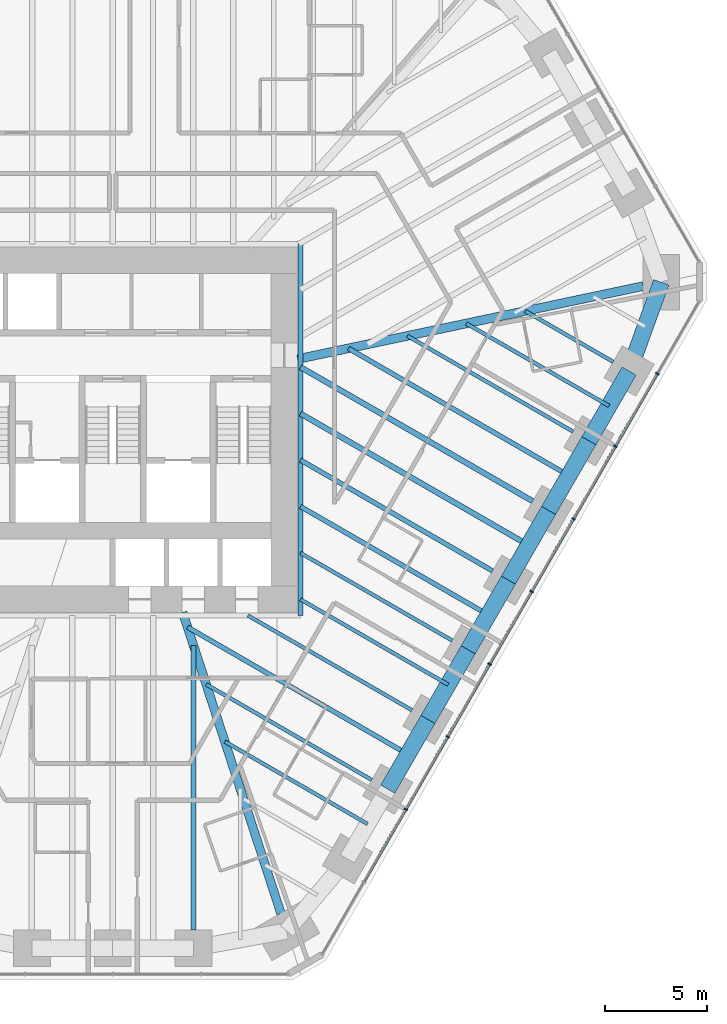
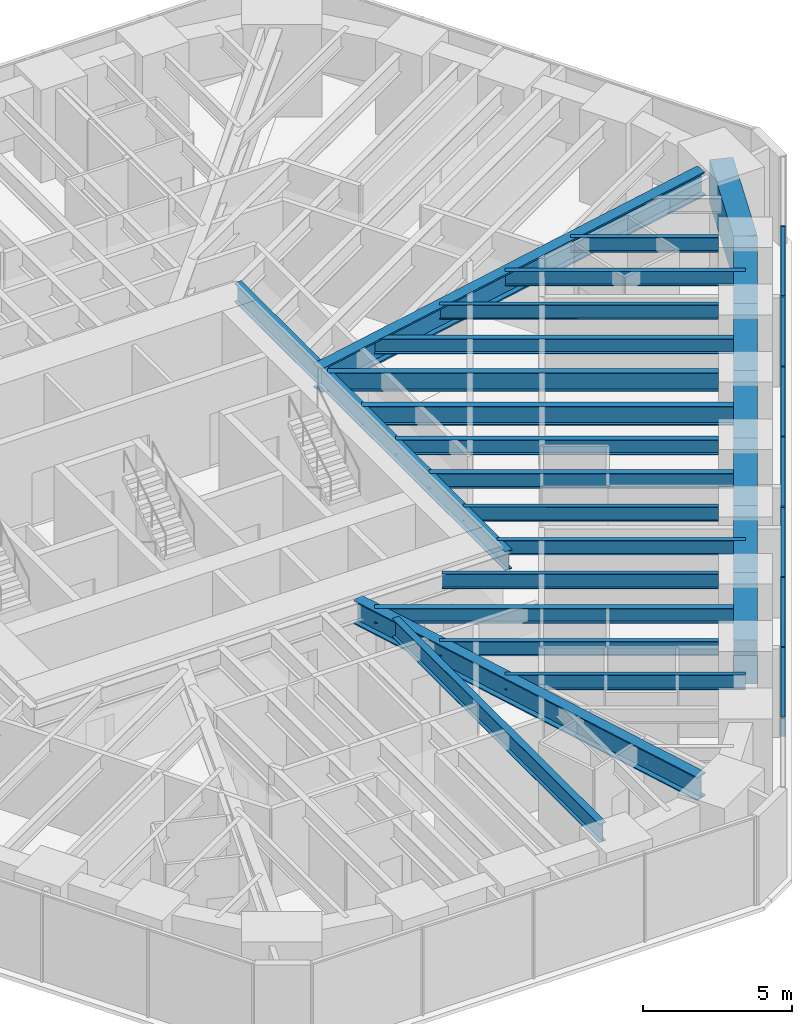
# One storey, part 5 of 16: 25 beams, 14 members, 1 element without a shape of its own.
"""IFC4 building model written with IfcOpenShell, lengths in metres."""

from ifc_helpers import new_model, si_unit, direction, frame, origin, origin_2d, place, context, subcontext, project, spatial, rectangle, i_section, extrude, material, material_profile, profile_set, type_object, element, aggregate, save


model = new_model("IFC4")

# Units and contexts
model_context = context("Model", 3, precision=1e-05, world=origin(), true_north=direction((0.0, 1.0)))
body_context = subcontext(model_context, "Body", "Model", "MODEL_VIEW")
ifc_project = project(units=[si_unit("LENGTHUNIT", "METRE"), si_unit("AREAUNIT", "SQUARE_METRE"), si_unit("VOLUMEUNIT", "CUBIC_METRE"), si_unit("PLANEANGLEUNIT", "RADIAN"), si_unit("MASSUNIT", "GRAM", prefix="KILO")], contexts=[model_context])

# Site, building, storey
site_placement = place(None, origin())
site = spatial("IfcSite", under=ifc_project, at=site_placement, CompositionType="ELEMENT")
building_placement = place(site_placement, origin())
building = spatial("IfcBuilding", under=site, at=building_placement, Name="Sandreach Pilgrim Tower", CompositionType="ELEMENT")
storey_placement = place(building_placement, frame((0.0, 0.0, 131.0)))
storey = spatial("IfcBuildingStorey", under=building, at=storey_placement, Name="L32", CompositionType="ELEMENT", Elevation=131.0)

# Curtain wall, members
ifc_material_1 = material(Name="Aluminium framed curtain wall", Category="aluminium")
curtain_wall_type = type_object("IfcCurtainWallType", Name="Hotel tower curtain wall", PredefinedType="NOTDEFINED", material=ifc_material_1)
curtain_wall_placement = place(storey_placement, origin())
curtain_wall = element("IfcCurtainWall", 1, at=curtain_wall_placement, inside=storey, type_object=curtain_wall_type, Name="CW-2 L32 SE", PredefinedType="NOTDEFINED")
ifc_material_2 = material(Name="Aluminium extrusion", Category="aluminium")
ifc_material_profile_1 = material_profile(ifc_material_2, rectangle(XDim=0.06494140625, YDim=0.179931640625, at=origin_2d()), Name="CW-2M 65X180")
ifc_profile_set_1 = profile_set([ifc_material_profile_1], Name="Aluminium extrusion")
member_type_1 = type_object("IfcMemberType", Name="CW-2 mullion", PredefinedType="MULLION", material=ifc_profile_set_1)
member_1_placement = place(storey_placement, frame((26.66748046875, 1.20166015625, 0.0), z_axis=(0.0, 0.0, 1.0), x_axis=(-0.5, -0.866025403784, 0.0)))
member_1 = element("IfcMember", 2, at=member_1_placement, type_object=member_type_1, Name="CW-2 mullion 2", PredefinedType="MULLION", context=body_context, shape_type="SweptSolid", body=[
    extrude(rectangle(XDim=0.06494140625, YDim=0.179931640625, at=origin_2d()), origin(), (0.0, 0.0, 1.0), 3.639892578125),
])
member_2_placement = place(storey_placement, frame((24.614013671875, -2.35498046875, 0.0), z_axis=(0.0, 0.0, 1.0), x_axis=(-0.5, -0.866025403784, 0.0)))
member_2 = element("IfcMember", 3, at=member_2_placement, type_object=member_type_1, Name="CW-2 mullion 3", PredefinedType="MULLION", context=body_context, shape_type="SweptSolid", body=[
    extrude(rectangle(XDim=0.06494140625, YDim=0.179931640625, at=origin_2d()), origin(), (0.0, 0.0, 1.0), 3.639892578125),
])
member_3_placement = place(storey_placement, frame((22.560302734375, -5.911865234375, 0.0), z_axis=(0.0, 0.0, 1.0), x_axis=(-0.5, -0.866025403784, 0.0)))
member_3 = element("IfcMember", 4, at=member_3_placement, type_object=member_type_1, Name="CW-2 mullion 4", PredefinedType="MULLION", context=body_context, shape_type="SweptSolid", body=[
    extrude(rectangle(XDim=0.06494140625, YDim=0.179931640625, at=origin_2d()), origin(), (0.0, 0.0, 1.0), 3.639892578125),
])
member_4_placement = place(storey_placement, frame((20.5068359375, -9.468505859375, 0.0), z_axis=(0.0, 0.0, 1.0), x_axis=(-0.5, -0.866025403784, 0.0)))
member_4 = element("IfcMember", 5, at=member_4_placement, type_object=member_type_1, Name="CW-2 mullion 5", PredefinedType="MULLION", context=body_context, shape_type="SweptSolid", body=[
    extrude(rectangle(XDim=0.06494140625, YDim=0.179931640625, at=origin_2d()), origin(), (0.0, 0.0, 1.0), 3.639892578125),
])
member_5_placement = place(storey_placement, frame((18.453369140625, -13.025146484375, 0.0), z_axis=(0.0, 0.0, 1.0), x_axis=(-0.5, -0.866025403784, 0.0)))
member_5 = element("IfcMember", 6, at=member_5_placement, type_object=member_type_1, Name="CW-2 mullion 6", PredefinedType="MULLION", context=body_context, shape_type="SweptSolid", body=[
    extrude(rectangle(XDim=0.06494140625, YDim=0.179931640625, at=origin_2d()), origin(), (0.0, 0.0, 1.0), 3.639892578125),
])
member_6_placement = place(storey_placement, frame((16.39990234375, -16.58203125, 0.0), z_axis=(0.0, 0.0, 1.0), x_axis=(-0.5, -0.866025403784, 0.0)))
member_6 = element("IfcMember", 7, at=member_6_placement, type_object=member_type_1, Name="CW-2 mullion 7", PredefinedType="MULLION", context=body_context, shape_type="SweptSolid", body=[
    extrude(rectangle(XDim=0.06494140625, YDim=0.179931640625, at=origin_2d()), origin(), (0.0, 0.0, 1.0), 3.639892578125),
])
member_7_placement = place(storey_placement, frame((14.346435546875, -20.138671875, 0.0), z_axis=(0.0, 0.0, 1.0), x_axis=(-0.5, -0.866025403784, 0.0)))
member_7 = element("IfcMember", 8, at=member_7_placement, type_object=member_type_1, Name="CW-2 mullion 8", PredefinedType="MULLION", context=body_context, shape_type="SweptSolid", body=[
    extrude(rectangle(XDim=0.06494140625, YDim=0.179931640625, at=origin_2d()), origin(), (0.0, 0.0, 1.0), 3.639892578125),
])
ifc_material_3 = material(Name="Aluminium extrusion", Category="aluminium")
ifc_material_profile_2 = material_profile(ifc_material_3, rectangle(XDim=0.139892578125, YDim=0.070068359375, at=origin_2d()), Name="CW-2T 140X70")
ifc_profile_set_2 = profile_set([ifc_material_profile_2], Name="Aluminium extrusion")
member_type_2 = type_object("IfcMemberType", Name="CW-2 transom", PredefinedType="USERDEFINED", material=ifc_profile_set_2)
member_8_placement = place(storey_placement, frame((26.651123046875, 1.173583984375, 3.60498046875), z_axis=(-0.499997818338, -0.866026663364, 0.0), x_axis=(0.866026663364, -0.499997818338, 0.0)))
member_8 = element("IfcMember", 9, at=member_8_placement, type_object=member_type_2, Name="CW-2 head transom 2", ObjectType="TRANSOM", PredefinedType="USERDEFINED", context=body_context, shape_type="SweptSolid", body=[
    extrude(rectangle(XDim=0.139892578125, YDim=0.070068359375, at=origin_2d()), origin(), (0.0, 0.0, 1.0), 4.0419921875),
])
member_9_placement = place(storey_placement, frame((24.59765625, -2.38330078125, 3.60498046875), z_axis=(-0.500023973715, -0.866011562111, 0.0), x_axis=(0.866011562111, -0.500023973715, 0.0)))
member_9 = element("IfcMember", 10, at=member_9_placement, type_object=member_type_2, Name="CW-2 head transom 3", ObjectType="TRANSOM", PredefinedType="USERDEFINED", context=body_context, shape_type="SweptSolid", body=[
    extrude(rectangle(XDim=0.139892578125, YDim=0.070068359375, at=origin_2d()), origin(), (0.0, 0.0, 1.0), 4.041748046875),
])
member_10_placement = place(storey_placement, frame((22.544189453125, -5.93994140625, 3.60498046875), z_axis=(-0.499997818338, -0.866026663364, 0.0), x_axis=(0.866026663364, -0.499997818338, 0.0)))
member_10 = element("IfcMember", 11, at=member_10_placement, type_object=member_type_2, Name="CW-2 head transom 4", ObjectType="TRANSOM", PredefinedType="USERDEFINED", context=body_context, shape_type="SweptSolid", body=[
    extrude(rectangle(XDim=0.139892578125, YDim=0.070068359375, at=origin_2d()), origin(), (0.0, 0.0, 1.0), 4.0419921875),
])
member_11_placement = place(storey_placement, frame((20.49072265625, -9.49658203125, 3.60498046875), z_axis=(-0.499997818338, -0.866026663364, 0.0), x_axis=(0.866026663364, -0.499997818338, 0.0)))
member_11 = element("IfcMember", 12, at=member_11_placement, type_object=member_type_2, Name="CW-2 head transom 5", ObjectType="TRANSOM", PredefinedType="USERDEFINED", context=body_context, shape_type="SweptSolid", body=[
    extrude(rectangle(XDim=0.139892578125, YDim=0.070068359375, at=origin_2d()), origin(), (0.0, 0.0, 1.0), 4.0419921875),
])
member_12_placement = place(storey_placement, frame((18.437255859375, -13.053466796875, 3.60498046875), z_axis=(-0.499997818338, -0.866026663364, 0.0), x_axis=(0.866026663364, -0.499997818338, 0.0)))
member_12 = element("IfcMember", 13, at=member_12_placement, type_object=member_type_2, Name="CW-2 head transom 6", ObjectType="TRANSOM", PredefinedType="USERDEFINED", context=body_context, shape_type="SweptSolid", body=[
    extrude(rectangle(XDim=0.139892578125, YDim=0.070068359375, at=origin_2d()), origin(), (0.0, 0.0, 1.0), 4.0419921875),
])
member_13_placement = place(storey_placement, frame((16.3837890625, -16.610107421875, 3.60498046875), z_axis=(-0.499997818338, -0.866026663364, 0.0), x_axis=(0.866026663364, -0.499997818338, 0.0)))
member_13 = element("IfcMember", 14, at=member_13_placement, type_object=member_type_2, Name="CW-2 head transom 7", ObjectType="TRANSOM", PredefinedType="USERDEFINED", context=body_context, shape_type="SweptSolid", body=[
    extrude(rectangle(XDim=0.139892578125, YDim=0.070068359375, at=origin_2d()), origin(), (0.0, 0.0, 1.0), 4.0419921875),
])
member_14_placement = place(storey_placement, frame((14.330322265625, -20.1669921875, 3.60498046875), z_axis=(-0.500023973715, -0.866011562111, 0.0), x_axis=(0.866011562111, -0.500023973715, 0.0)))
member_14 = element("IfcMember", 15, at=member_14_placement, type_object=member_type_2, Name="CW-2 head transom 8", ObjectType="TRANSOM", PredefinedType="USERDEFINED", context=body_context, shape_type="SweptSolid", body=[
    extrude(rectangle(XDim=0.139892578125, YDim=0.070068359375, at=origin_2d()), origin(), (0.0, 0.0, 1.0), 4.041748046875),
])
aggregate(curtain_wall, [member_1, member_2, member_3, member_4, member_5, member_6, member_7, member_8, member_9, member_10, member_11, member_12, member_13, member_14])

# Beams
ifc_material_4 = material(Name="Steel ASTM A992 Grade 50", Category="steel")
ifc_material_profile_3 = material_profile(ifc_material_4, i_section(OverallWidth=0.2666015625, OverallDepth=0.77978515625, WebThickness=0.0166015625, FlangeThickness=0.030029296875, at=origin_2d()), Name="W30X148")
ifc_profile_set_3 = profile_set([ifc_material_profile_3], Name="Steel ASTM A992 Grade 50")
beam_type_1 = type_object("IfcBeamType", Name="Core edge beam W30X148", PredefinedType="BEAM", material=ifc_profile_set_3)
beam_1_placement = place(storey_placement, frame((9.193359375, 7.54345703125, 3.25), z_axis=(0.0, -1.0, 0.0), x_axis=(1.0, 0.0, 0.0)))
element("IfcBeam", 16, at=beam_1_placement, inside=storey, type_object=beam_type_1, Name="BM L32 CEE", PredefinedType="BEAM", context=body_context, shape_type="SweptSolid", body=[
    extrude(i_section(OverallWidth=0.2666015625, OverallDepth=0.77978515625, WebThickness=0.0166015625, FlangeThickness=0.030029296875, at=origin_2d()), origin(), (0.0, 0.0, 1.0), 18.186767578125),
])
ifc_material_5 = material(Name="Steel ASTM A992 Grade 50", Category="steel")
ifc_material_profile_4 = material_profile(ifc_material_5, i_section(OverallWidth=0.421630859375, OverallDepth=0.95751953125, WebThickness=0.02587890625, FlangeThickness=0.046875, at=origin_2d()), Name="W36X330")
ifc_profile_set_4 = profile_set([ifc_material_profile_4], Name="Steel ASTM A992 Grade 50")
beam_type_2 = type_object("IfcBeamType", Name="Corner girder W36X330", PredefinedType="BEAM", material=ifc_profile_set_4)
beam_2_placement = place(storey_placement, frame((8.238525390625, -25.23876953125, 3.1611328125), z_axis=(-0.310307109519, 0.950636364643, 0.0), x_axis=(-0.950636364643, -0.310307109519, 0.0)))
element("IfcBeam", 17, at=beam_2_placement, inside=storey, type_object=beam_type_2, Name="BM L32 CG22", PredefinedType="BEAM", context=body_context, shape_type="SweptSolid", body=[
    extrude(i_section(OverallWidth=0.421630859375, OverallDepth=0.95751953125, WebThickness=0.02587890625, FlangeThickness=0.046875, at=origin_2d()), origin(), (0.0, 0.0, 1.0), 15.504150390625),
])
ifc_material_6 = material(Name="Steel ASTM A992 Grade 50", Category="steel")
ifc_material_profile_5 = material_profile(ifc_material_6, i_section(OverallWidth=0.431884765625, OverallDepth=0.988037109375, WebThickness=0.034423828125, FlangeThickness=0.06201171875, at=origin_2d()), Name="W36X441")
ifc_profile_set_5 = profile_set([ifc_material_profile_5], Name="Steel ASTM A992 Grade 50")
beam_type_3 = type_object("IfcBeamType", Name="Corner girder W36X441", PredefinedType="BEAM", material=ifc_profile_set_5)
beam_3_placement = place(storey_placement, frame((25.976806640625, 5.484619140625, 3.14599609375), z_axis=(-0.978427882284, -0.206588671447, 0.0), x_axis=(0.206588671447, -0.978427882284, 0.0)))
element("IfcBeam", 18, at=beam_3_placement, inside=storey, type_object=beam_type_3, Name="BM L32 CG13", PredefinedType="BEAM", context=body_context, shape_type="SweptSolid", body=[
    extrude(i_section(OverallWidth=0.431884765625, OverallDepth=0.988037109375, WebThickness=0.034423828125, FlangeThickness=0.06201171875, at=origin_2d()), origin(), (0.0, 0.0, 1.0), 17.300048828125),
])
ifc_material_7 = material(Name="Steel ASTM A992 Grade 50", Category="steel")
ifc_material_profile_6 = material_profile(ifc_material_7, i_section(OverallWidth=0.1787109375, OverallDepth=0.60205078125, WebThickness=0.010986328125, FlangeThickness=0.014892578125, at=origin_2d()), Name="W24X62")
ifc_profile_set_6 = profile_set([ifc_material_profile_6], Name="Steel ASTM A992 Grade 50")
beam_type_4 = type_object("IfcBeamType", Name="Floor beam W24X62", PredefinedType="BEAM", material=ifc_profile_set_6)
beam_4_placement = place(storey_placement, frame((24.50439453125, 1.775390625, 3.339111328125), z_axis=(-0.866024645457, 0.500001313459, 0.0), x_axis=(-0.500001313459, -0.866024645457, 0.0)))
element("IfcBeam", 19, at=beam_4_placement, inside=storey, type_object=beam_type_4, Name="BM L32 F14", PredefinedType="BEAM", context=body_context, shape_type="SweptSolid", body=[
    extrude(i_section(OverallWidth=0.1787109375, OverallDepth=0.60205078125, WebThickness=0.010986328125, FlangeThickness=0.014892578125, at=origin_2d()), origin(), (0.0, 0.0, 1.0), 4.9765625),
])
beam_5_placement = place(storey_placement, frame((22.534423828125, -1.63671875, 3.339111328125), z_axis=(-0.866012351917, 0.500022605817, 0.0), x_axis=(-0.500022605817, -0.866012351917, 0.0)))
element("IfcBeam", 20, at=beam_5_placement, inside=storey, type_object=beam_type_4, Name="BM L32 F15", PredefinedType="BEAM", context=body_context, shape_type="SweptSolid", body=[
    extrude(i_section(OverallWidth=0.1787109375, OverallDepth=0.60205078125, WebThickness=0.010986328125, FlangeThickness=0.014892578125, at=origin_2d()), origin(), (0.0, 0.0, 1.0), 9.3642578125),
])
beam_6_placement = place(storey_placement, frame((16.62451171875, -11.873046875, 3.339111328125), z_axis=(-0.866017857595, 0.500013070155, 0.0), x_axis=(-0.500013070155, -0.866017857595, 0.0)))
element("IfcBeam", 21, at=beam_6_placement, inside=storey, type_object=beam_type_4, Name="BM L32 F18", PredefinedType="BEAM", context=body_context, shape_type="SweptSolid", body=[
    extrude(i_section(OverallWidth=0.1787109375, OverallDepth=0.60205078125, WebThickness=0.010986328125, FlangeThickness=0.014892578125, at=origin_2d()), origin(), (0.0, 0.0, 1.0), 8.580810546875),
])
beam_7_placement = place(storey_placement, frame((14.654541015625, -15.28515625, 3.339111328125), z_axis=(-0.866015659929, 0.500016876472, 0.0), x_axis=(-0.500016876472, -0.866015659929, 0.0)))
element("IfcBeam", 22, at=beam_7_placement, inside=storey, type_object=beam_type_4, Name="BM L32 F19", PredefinedType="BEAM", context=body_context, shape_type="SweptSolid", body=[
    extrude(i_section(OverallWidth=0.1787109375, OverallDepth=0.60205078125, WebThickness=0.010986328125, FlangeThickness=0.014892578125, at=origin_2d()), origin(), (0.0, 0.0, 1.0), 9.283447265625),
])
beam_8_placement = place(storey_placement, frame((12.6845703125, -18.697265625, 3.339111328125), z_axis=(-0.866012351917, 0.500022605817, 0.0), x_axis=(-0.500022605817, -0.866012351917, 0.0)))
element("IfcBeam", 23, at=beam_8_placement, inside=storey, type_object=beam_type_4, Name="BM L32 F20", PredefinedType="BEAM", context=body_context, shape_type="SweptSolid", body=[
    extrude(i_section(OverallWidth=0.1787109375, OverallDepth=0.60205078125, WebThickness=0.010986328125, FlangeThickness=0.014892578125, at=origin_2d()), origin(), (0.0, 0.0, 1.0), 9.3642578125),
])
beam_9_placement = place(storey_placement, frame((24.298828125, -0.380615234375, 3.339111328125), z_axis=(-0.866022864518, 0.500004398112, 0.0), x_axis=(-0.500004398112, -0.866022864518, 0.0)))
element("IfcBeam", 24, at=beam_9_placement, inside=storey, type_object=beam_type_4, Name="BM L32 FM14", PredefinedType="BEAM", context=body_context, shape_type="SweptSolid", body=[
    extrude(i_section(OverallWidth=0.1787109375, OverallDepth=0.60205078125, WebThickness=0.010986328125, FlangeThickness=0.014892578125, at=origin_2d()), origin(), (0.0, 0.0, 1.0), 8.0703125),
])
beam_10_placement = place(storey_placement, frame((16.4189453125, -14.029052734375, 3.339111328125), z_axis=(-0.866016009309, 0.500016271356, 0.0), x_axis=(-0.500016271356, -0.866016009309, 0.0)))
element("IfcBeam", 25, at=beam_10_placement, inside=storey, type_object=beam_type_4, Name="BM L32 FM18", PredefinedType="BEAM", context=body_context, shape_type="SweptSolid", body=[
    extrude(i_section(OverallWidth=0.1787109375, OverallDepth=0.60205078125, WebThickness=0.010986328125, FlangeThickness=0.014892578125, at=origin_2d()), origin(), (0.0, 0.0, 1.0), 8.343505859375),
])
beam_11_placement = place(storey_placement, frame((12.47900390625, -20.853271484375, 3.339111328125), z_axis=(-0.866017328257, 0.500013986963, 0.0), x_axis=(-0.500013986963, -0.866017328257, 0.0)))
element("IfcBeam", 26, at=beam_11_placement, inside=storey, type_object=beam_type_4, Name="BM L32 FM20", PredefinedType="BEAM", context=body_context, shape_type="SweptSolid", body=[
    extrude(i_section(OverallWidth=0.1787109375, OverallDepth=0.60205078125, WebThickness=0.010986328125, FlangeThickness=0.014892578125, at=origin_2d()), origin(), (0.0, 0.0, 1.0), 8.070556640625),
])
ifc_material_8 = material(Name="Steel ASTM A992 Grade 50", Category="steel")
ifc_material_profile_7 = material_profile(ifc_material_8, i_section(OverallWidth=0.23046875, OverallDepth=0.6171875, WebThickness=0.01318359375, FlangeThickness=0.022216796875, at=origin_2d()), Name="W24X94")
ifc_profile_set_7 = profile_set([ifc_material_profile_7], Name="Steel ASTM A992 Grade 50")
beam_type_5 = type_object("IfcBeamType", Name="Floor beam W24X94", PredefinedType="BEAM", material=ifc_profile_set_7)
beam_12_placement = place(storey_placement, frame((18.594482421875, -8.4609375, 3.331298828125), z_axis=(-0.866015926388, 0.500016414973, 0.0), x_axis=(-0.500016414973, -0.866015926388, 0.0)))
element("IfcBeam", 27, at=beam_12_placement, inside=storey, type_object=beam_type_5, Name="BM L32 F17", PredefinedType="BEAM", context=body_context, shape_type="SweptSolid", body=[
    extrude(i_section(OverallWidth=0.23046875, OverallDepth=0.6171875, WebThickness=0.01318359375, FlangeThickness=0.022216796875, at=origin_2d()), origin(), (0.0, 0.0, 1.0), 10.855712890625),
])
beam_13_placement = place(storey_placement, frame((22.328857421875, -3.792724609375, 3.331298828125), z_axis=(-0.866019150617, 0.500010830648, 0.0), x_axis=(-0.500010830648, -0.866019150617, 0.0)))
element("IfcBeam", 28, at=beam_13_placement, inside=storey, type_object=beam_type_5, Name="BM L32 FM15", PredefinedType="BEAM", context=body_context, shape_type="SweptSolid", body=[
    extrude(i_section(OverallWidth=0.23046875, OverallDepth=0.6171875, WebThickness=0.01318359375, FlangeThickness=0.022216796875, at=origin_2d()), origin(), (0.0, 0.0, 1.0), 12.458251953125),
])
beam_14_placement = place(storey_placement, frame((18.388916015625, -10.616943359375, 3.331298828125), z_axis=(-0.866024387147, 0.500001760863, 0.0), x_axis=(-0.500001760863, -0.866024387147, 0.0)))
element("IfcBeam", 29, at=beam_14_placement, inside=storey, type_object=beam_type_5, Name="BM L32 FM17", PredefinedType="BEAM", context=body_context, shape_type="SweptSolid", body=[
    extrude(i_section(OverallWidth=0.23046875, OverallDepth=0.6171875, WebThickness=0.01318359375, FlangeThickness=0.022216796875, at=origin_2d()), origin(), (0.0, 0.0, 1.0), 10.6181640625),
])
beam_15_placement = place(storey_placement, frame((14.448974609375, -17.441162109375, 3.331298828125), z_axis=(-0.866019150617, 0.500010830648, 0.0), x_axis=(-0.500010830648, -0.866019150617, 0.0)))
element("IfcBeam", 30, at=beam_15_placement, inside=storey, type_object=beam_type_5, Name="BM L32 FM19", PredefinedType="BEAM", context=body_context, shape_type="SweptSolid", body=[
    extrude(i_section(OverallWidth=0.23046875, OverallDepth=0.6171875, WebThickness=0.01318359375, FlangeThickness=0.022216796875, at=origin_2d()), origin(), (0.0, 0.0, 1.0), 12.458251953125),
])
ifc_material_9 = material(Name="Steel ASTM A992 Grade 50", Category="steel")
ifc_material_profile_8 = material_profile(ifc_material_9, i_section(OverallWidth=0.2666015625, OverallDepth=0.761962890625, WebThickness=0.014404296875, FlangeThickness=0.021484375, at=origin_2d()), Name="W30X116")
ifc_profile_set_8 = profile_set([ifc_material_profile_8], Name="Steel ASTM A992 Grade 50")
beam_type_6 = type_object("IfcBeamType", Name="Floor beam W30X116", PredefinedType="BEAM", material=ifc_profile_set_8)
beam_16_placement = place(storey_placement, frame((20.564453125, -5.048828125, 3.259033203125), z_axis=(-0.866022715736, 0.500004655807, 0.0), x_axis=(-0.500004655807, -0.866022715736, 0.0)))
element("IfcBeam", 31, at=beam_16_placement, inside=storey, type_object=beam_type_6, Name="BM L32 F16", PredefinedType="BEAM", context=body_context, shape_type="SweptSolid", body=[
    extrude(i_section(OverallWidth=0.2666015625, OverallDepth=0.761962890625, WebThickness=0.014404296875, FlangeThickness=0.021484375, at=origin_2d()), origin(), (0.0, 0.0, 1.0), 13.130126953125),
])
beam_17_placement = place(storey_placement, frame((3.955322265625, -26.0322265625, 3.259033203125), z_axis=(0.0, 1.0, 0.0), x_axis=(-1.0, 0.0, 0.0)))
element("IfcBeam", 32, at=beam_17_placement, inside=storey, type_object=beam_type_6, Name="BM L32 F23", PredefinedType="BEAM", context=body_context, shape_type="SweptSolid", body=[
    extrude(i_section(OverallWidth=0.2666015625, OverallDepth=0.761962890625, WebThickness=0.014404296875, FlangeThickness=0.021484375, at=origin_2d()), origin(), (0.0, 0.0, 1.0), 13.91552734375),
])
beam_18_placement = place(storey_placement, frame((20.35888671875, -7.204833984375, 3.259033203125), z_axis=(-0.866021609098, 0.500006572533, 0.0), x_axis=(-0.500006572533, -0.866021609098, 0.0)))
element("IfcBeam", 33, at=beam_18_placement, inside=storey, type_object=beam_type_6, Name="BM L32 FM16", PredefinedType="BEAM", context=body_context, shape_type="SweptSolid", body=[
    extrude(i_section(OverallWidth=0.2666015625, OverallDepth=0.761962890625, WebThickness=0.014404296875, FlangeThickness=0.021484375, at=origin_2d()), origin(), (0.0, 0.0, 1.0), 12.892822265625),
])
ifc_material_10 = material(Name="Concrete 10000 psi", Category="concrete")
ifc_material_profile_9 = material_profile(ifc_material_10, rectangle(XDim=0.800048828125, YDim=1.800048828125, at=origin_2d()), Name="RC800X1800")
ifc_profile_set_9 = profile_set([ifc_material_profile_9], Name="Concrete 10000 psi")
beam_type_7 = type_object("IfcBeamType", Name="Spandrel beam RC800X1800", PredefinedType="SPANDREL", material=ifc_profile_set_9)
beam_19_placement = place(storey_placement, frame((26.857177734375, 5.67041015625, 2.739990234375), z_axis=(-0.340453163563, -0.940261476091, 0.0), x_axis=(0.940261476091, -0.340453163563, 0.0)))
element("IfcBeam", 34, at=beam_19_placement, inside=storey, type_object=beam_type_7, Name="BM L32 SP13", PredefinedType="SPANDREL", context=body_context, shape_type="SweptSolid", body=[
    extrude(rectangle(XDim=0.800048828125, YDim=1.800048828125, at=origin_2d()), origin(), (0.0, 0.0, 1.0), 4.62109375),
])
for number, where, z_axis, x_axis, name in (
    (35, (25.283935546875, 1.325439453125, 2.739990234375), (-0.49999779889, -0.866026674592, 0.0), (0.866026674592, -0.49999779889, 0.0), "BM L32 SP14"),
    (36, (23.31396484375, -2.086669921875, 2.739990234375), (-0.49999779889, -0.866026674592, 0.0), (0.866026674592, -0.49999779889, 0.0), "BM L32 SP15"),
    (37, (21.343994140625, -5.498779296875, 2.739990234375), (-0.49999779889, -0.866026674592, 0.0), (0.866026674592, -0.49999779889, 0.0), "BM L32 SP16"),
    (38, (19.3740234375, -8.910888671875, 2.739990234375), (-0.49999779889, -0.866026674592, 0.0), (0.866026674592, -0.49999779889, 0.0), "BM L32 SP17"),
    (39, (17.404052734375, -12.322998046875, 2.739990234375), (-0.49999779889, -0.866026674592, 0.0), (0.866026674592, -0.49999779889, 0.0), "BM L32 SP18"),
    (40, (15.43408203125, -15.735107421875, 2.739990234375), (-0.49999779889, -0.866026674592, 0.0), (0.866026674592, -0.49999779889, 0.0), "BM L32 SP19"),
):
    element("IfcBeam", number, at=place(storey_placement, frame(where, z_axis=z_axis, x_axis=x_axis)), inside=storey, type_object=beam_type_7, Name=name, PredefinedType="SPANDREL", context=body_context, shape_type="SweptSolid", body=[
        extrude(rectangle(XDim=0.800048828125, YDim=1.800048828125, at=origin_2d()), origin(), (0.0, 0.0, 1.0), 3.93994140625),
    ])

save(model, "model.ifc")
